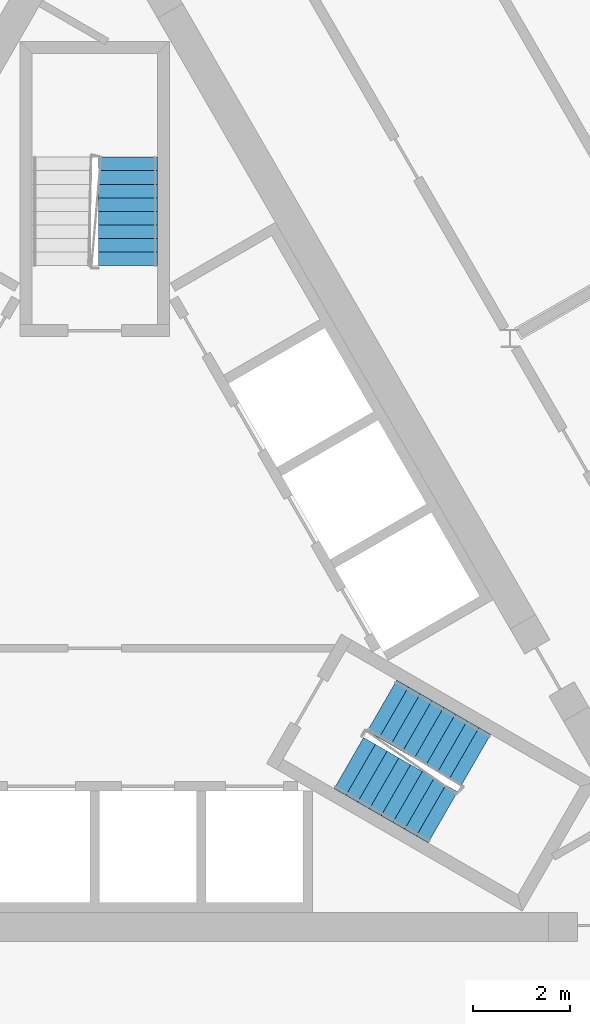
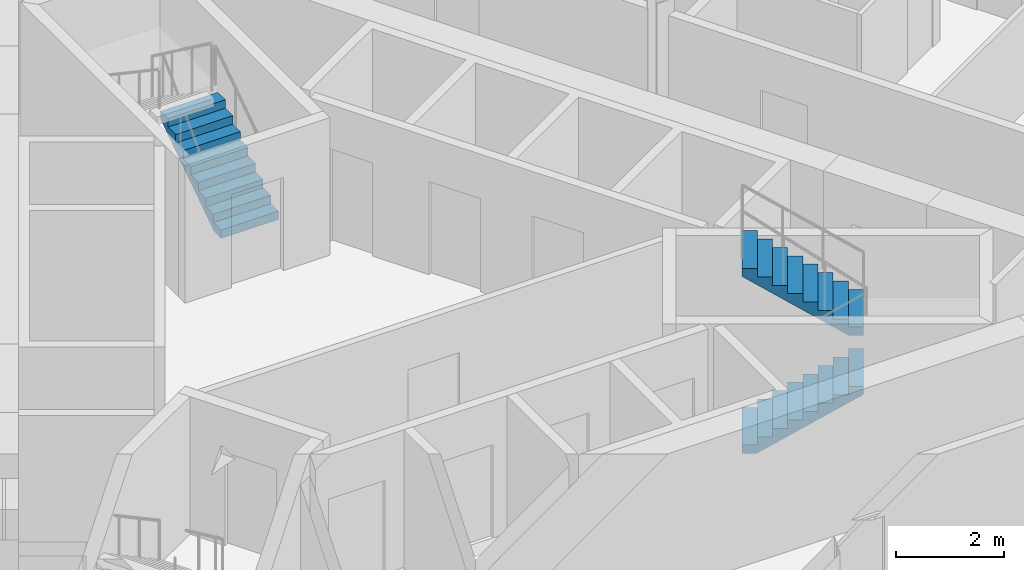
# One storey, part 18 of 26: 3 stair flights, 2 elements without a shape of their own.
"""IFC4 building model written with IfcOpenShell, lengths in metres."""

from ifc_helpers import new_model, si_unit, direction, frame, origin, place, context, subcontext, project, spatial, polyline, outline, extrude, material, type_object, element, aggregate, save


model = new_model("IFC4")

# Units and contexts
model_context = context("Model", 3, precision=1e-05, world=origin(), true_north=direction((0.0, 1.0)))
body_context = subcontext(model_context, "Body", "Model", "MODEL_VIEW")
ifc_project = project(units=[si_unit("LENGTHUNIT", "METRE"), si_unit("AREAUNIT", "SQUARE_METRE"), si_unit("VOLUMEUNIT", "CUBIC_METRE"), si_unit("PLANEANGLEUNIT", "RADIAN"), si_unit("MASSUNIT", "GRAM", prefix="KILO")], contexts=[model_context])

# Site, building, storey
site_placement = place(None, origin())
site = spatial("IfcSite", under=ifc_project, at=site_placement, CompositionType="ELEMENT")
building_placement = place(site_placement, origin())
building = spatial("IfcBuilding", under=site, at=building_placement, Name="Cormorant Prow Tower", CompositionType="ELEMENT")
storey_placement = place(building_placement, frame((0.0, 0.0, 384.800048828125)))
storey = spatial("IfcBuildingStorey", under=building, at=storey_placement, Name="L87", CompositionType="ELEMENT", Elevation=384.800048828125)

# Stair, stair flights
ifc_material_1 = material(Name="Exit stair 18 risers")
stair_type = type_object("IfcStairType", Name="Exit stair 18 risers", PredefinedType="HALF_TURN_STAIR", material=ifc_material_1)
stair_1_placement = place(storey_placement, origin())
stair_1 = element("IfcStair", 1, at=stair_1_placement, inside=storey, type_object=stair_type, Name="L87 Exit stair ST2", PredefinedType="HALF_TURN_STAIR")
ifc_material_2 = material(Name="Concrete 5000 psi", Category="concrete")
stair_flight_type = type_object("IfcStairFlightType", Name="Stair flight 1219", PredefinedType="STRAIGHT", material=ifc_material_2)
stair_flight_1_placement = place(storey_placement, frame((5.24853515625, -3.82080078125, 0.0), z_axis=(0.0, 0.0, 1.0), x_axis=(0.866025403784, -0.5, 0.0)))
stair_flight_1 = element("IfcStairFlight", 2, at=stair_flight_1_placement, type_object=stair_flight_type, Name="ST2 flight 1", NumberOfRisers=9, NumberOfTreads=8, PredefinedType="STRAIGHT", RiserHeight=0.188888889, TreadLength=0.28, context=body_context, shape_type="SweptSolid", body=[
    extrude(outline(polyline([(0.0, 0.0), (0.0, 0.18896484375), (0.280029296875, 0.18896484375), (0.280029296875, 0.377685546875), (0.56005859375, 0.377685546875), (0.56005859375, 0.566650390625), (0.840087890625, 0.566650390625), (0.840087890625, 0.755615234375), (1.1201171875, 0.755615234375), (1.1201171875, 0.9443359375), (1.39990234375, 0.9443359375), (1.39990234375, 1.13330078125), (1.679931640625, 1.13330078125), (1.679931640625, 1.322265625), (1.9599609375, 1.322265625), (1.9599609375, 1.51123046875), (2.239990234375, 1.51123046875), (2.239990234375, 1.699951171875), (2.239990234375, 1.330322265625), (0.26806640625, 0.0), (0.0, 0.0)])), frame((0.0, 0.609375, 0.0), z_axis=(0.0, -1.0, 0.0), x_axis=(1.0, 0.0, 0.0)), (0.0, 0.0, 1.0), 1.218994140625),
])
stair_flight_2_placement = place(storey_placement, frame((7.873046875, -3.755126953125, 1.699951171875), z_axis=(0.0, 0.0, 1.0), x_axis=(-0.866025403784, 0.5, 0.0)))
stair_flight_2 = element("IfcStairFlight", 3, at=stair_flight_2_placement, type_object=stair_flight_type, Name="ST2 flight 2", NumberOfRisers=9, NumberOfTreads=8, PredefinedType="STRAIGHT", RiserHeight=0.188888889, TreadLength=0.28, context=body_context, shape_type="SweptSolid", body=[
    extrude(outline(polyline([(0.0, 0.0), (0.0, 0.18896484375), (0.280029296875, 0.18896484375), (0.280029296875, 0.377685546875), (0.56005859375, 0.377685546875), (0.56005859375, 0.566650390625), (0.840087890625, 0.566650390625), (0.840087890625, 0.755615234375), (1.1201171875, 0.755615234375), (1.1201171875, 0.9443359375), (1.39990234375, 0.9443359375), (1.39990234375, 1.13330078125), (1.679931640625, 1.13330078125), (1.679931640625, 1.322265625), (1.9599609375, 1.322265625), (1.9599609375, 1.51123046875), (2.239990234375, 1.51123046875), (2.239990234375, 1.699951171875), (2.239990234375, 1.330322265625), (0.26806640625, 0.0), (0.0, 0.0)])), frame((0.0, 0.609375, 0.0), z_axis=(0.0, -1.0, 0.0), x_axis=(1.0, 0.0, 0.0)), (0.0, 0.0, 1.0), 1.218994140625),
])
aggregate(stair_1, [stair_flight_1, stair_flight_2])

# Stair, stair flight
stair_2_placement = place(storey_placement, origin())
stair_2 = element("IfcStair", 4, at=stair_2_placement, inside=storey, type_object=stair_type, Name="L87 Exit stair ST3", PredefinedType="HALF_TURN_STAIR")
stair_flight_3_placement = place(storey_placement, frame((0.6845703125, 6.455810546875, 0.0), z_axis=(0.0, 0.0, 1.0), x_axis=(0.0, 1.0, 0.0)))
stair_flight_3 = element("IfcStairFlight", 5, at=stair_flight_3_placement, type_object=stair_flight_type, Name="ST3 flight 1", NumberOfRisers=9, NumberOfTreads=8, PredefinedType="STRAIGHT", RiserHeight=0.188888889, TreadLength=0.28, context=body_context, shape_type="SweptSolid", body=[
    extrude(outline(polyline([(0.0, 0.0), (0.0, 0.18896484375), (0.280029296875, 0.18896484375), (0.280029296875, 0.377685546875), (0.56005859375, 0.377685546875), (0.56005859375, 0.566650390625), (0.840087890625, 0.566650390625), (0.840087890625, 0.755615234375), (1.1201171875, 0.755615234375), (1.1201171875, 0.9443359375), (1.39990234375, 0.9443359375), (1.39990234375, 1.13330078125), (1.679931640625, 1.13330078125), (1.679931640625, 1.322265625), (1.9599609375, 1.322265625), (1.9599609375, 1.51123046875), (2.239990234375, 1.51123046875), (2.239990234375, 1.699951171875), (2.239990234375, 1.330322265625), (0.26806640625, 0.0), (0.0, 0.0)])), frame((0.0, 0.609375, 0.0), z_axis=(0.0, -1.0, 0.0), x_axis=(1.0, 0.0, 0.0)), (0.0, 0.0, 1.0), 1.218994140625),
])
aggregate(stair_2, [stair_flight_3])

save(model, "model.ifc")
